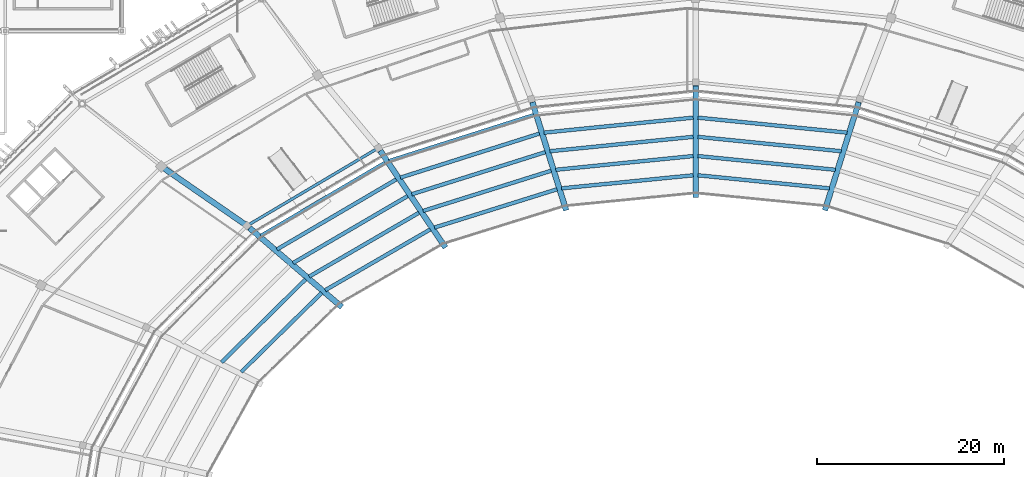
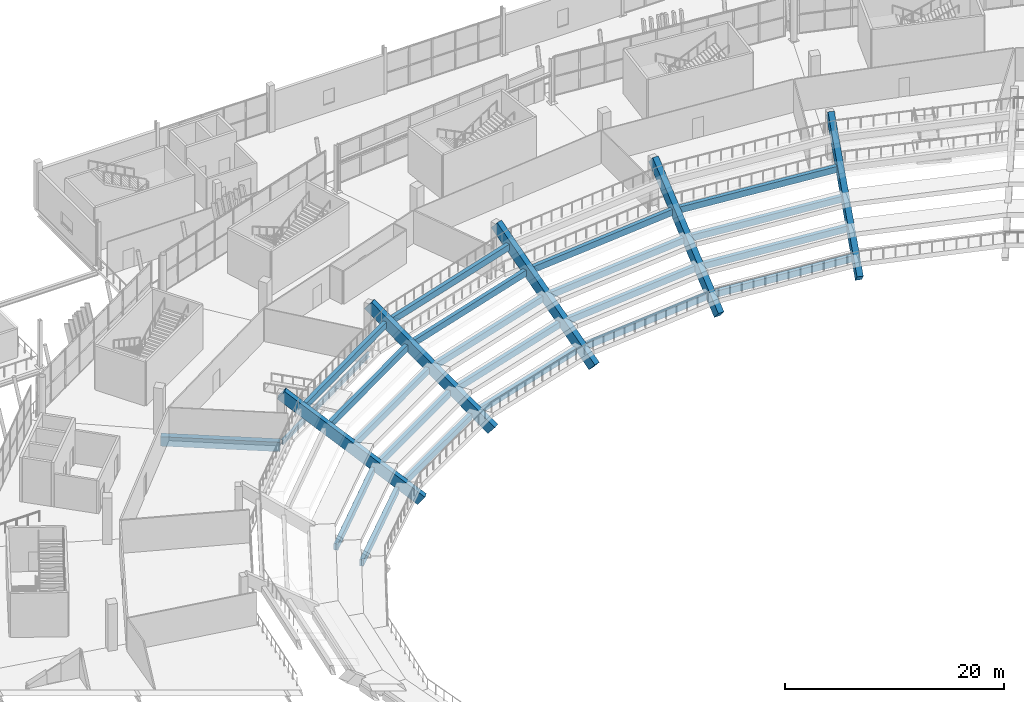
# One storey, part 48 of 178: 27 beams.
"""IFC4 building model written with IfcOpenShell, lengths in metres."""

from ifc_helpers import new_model, si_unit, direction, frame, origin, origin_2d, place, context, subcontext, project, spatial, rectangle, i_section, extrude, material, material_profile, profile_set, type_object, element, save


model = new_model("IFC4")

# Units and contexts
model_context = context("Model", 3, precision=1e-05, world=origin(), true_north=direction((0.0, 1.0)))
body_context = subcontext(model_context, "Body", "Model", "MODEL_VIEW")
ifc_project = project(units=[si_unit("LENGTHUNIT", "METRE"), si_unit("AREAUNIT", "SQUARE_METRE"), si_unit("VOLUMEUNIT", "CUBIC_METRE"), si_unit("PLANEANGLEUNIT", "RADIAN"), si_unit("MASSUNIT", "GRAM", prefix="KILO")], contexts=[model_context])

# Site, building, storey
site_placement = place(None, origin())
site = spatial("IfcSite", under=ifc_project, at=site_placement, CompositionType="ELEMENT")
building_placement = place(site_placement, origin())
building = spatial("IfcBuilding", under=site, at=building_placement, Name="Zlatoyarsky Gate Stadium", CompositionType="ELEMENT")
storey_placement = place(building_placement, frame((0.0, 0.0, 5.39990234375)))
storey = spatial("IfcBuildingStorey", under=building, at=storey_placement, Name="L01", CompositionType="ELEMENT", Elevation=5.39990234375)

# Beams
ifc_material_1 = material(Name="Concrete C40/50", Category="concrete")
ifc_material_profile_1 = material_profile(ifc_material_1, rectangle(XDim=0.39990234375, YDim=0.699951171875, at=origin_2d()), Name="RC BEAM 400X700")
ifc_profile_set_1 = profile_set([ifc_material_profile_1], Name="Concrete C40/50")
beam_type_1 = type_object("IfcBeamType", Name="CONCRETE FLOOR BEAM 400X700", PredefinedType="BEAM", material=ifc_profile_set_1)
beam_1_placement = place(storey_placement, frame((125.35888671875, 121.134521484375, -4.219970703125), z_axis=(-0.995107685463, 0.098796226303, 0.0), x_axis=(-0.098796226303, -0.995107685463, 0.0)))
element("IfcBeam", 1, at=beam_1_placement, inside=storey, type_object=beam_type_1, Name="Lower bowl step tie beam 05.1", PredefinedType="BEAM", context=body_context, shape_type="SweptSolid", body=[
    extrude(rectangle(XDim=0.39990234375, YDim=0.699951171875, at=origin_2d()), origin(), (0.0, 0.0, 1.0), 14.179443359375),
])
beam_2_placement = place(storey_placement, frame((125.990478515625, 123.12451171875, -2.31982421875), z_axis=(-0.995060332321, 0.09927202547, 0.0), x_axis=(-0.09927202547, -0.995060332321, 0.0)))
element("IfcBeam", 2, at=beam_2_placement, inside=storey, type_object=beam_type_1, Name="Lower bowl step tie beam 05.2", PredefinedType="BEAM", context=body_context, shape_type="SweptSolid", body=[
    extrude(rectangle(XDim=0.39990234375, YDim=0.699951171875, at=origin_2d()), origin(), (0.0, 0.0, 1.0), 14.81494140625),
])
beam_3_placement = place(storey_placement, frame((126.6220703125, 125.1142578125, -0.419921875), z_axis=(-0.995015106005, 0.099724314091, 0.0), x_axis=(-0.099724314091, -0.995015106005, 0.0)))
element("IfcBeam", 3, at=beam_3_placement, inside=storey, type_object=beam_type_1, Name="Lower bowl step tie beam 05.3", PredefinedType="BEAM", context=body_context, shape_type="SweptSolid", body=[
    extrude(rectangle(XDim=0.39990234375, YDim=0.699951171875, at=origin_2d()), origin(), (0.0, 0.0, 1.0), 15.4501953125),
])
beam_4_placement = place(storey_placement, frame((127.253662109375, 127.104248046875, 1.47998046875), z_axis=(-0.994973270957, 0.100140851208, 0.0), x_axis=(-0.100140851208, -0.994973270957, 0.0)))
element("IfcBeam", 4, at=beam_4_placement, inside=storey, type_object=beam_type_1, Name="Lower bowl step tie beam 05.4", PredefinedType="BEAM", context=body_context, shape_type="SweptSolid", body=[
    extrude(rectangle(XDim=0.39990234375, YDim=0.699951171875, at=origin_2d()), origin(), (0.0, 0.0, 1.0), 16.085693359375),
])
beam_5_placement = place(storey_placement, frame((110.751220703125, 122.535400390625, -4.219970703125), z_axis=(-0.995107685463, -0.098796226303, 0.0), x_axis=(0.098796226303, -0.995107685463, 0.0)))
element("IfcBeam", 5, at=beam_5_placement, inside=storey, type_object=beam_type_1, Name="Lower bowl step tie beam 06.1", PredefinedType="BEAM", context=body_context, shape_type="SweptSolid", body=[
    extrude(rectangle(XDim=0.39990234375, YDim=0.699951171875, at=origin_2d()), origin(), (0.0, 0.0, 1.0), 14.179443359375),
])
beam_6_placement = place(storey_placement, frame((110.751220703125, 124.59521484375, -2.31982421875), z_axis=(-0.995060332321, -0.09927202547, 0.0), x_axis=(0.09927202547, -0.995060332321, 0.0)))
element("IfcBeam", 6, at=beam_6_placement, inside=storey, type_object=beam_type_1, Name="Lower bowl step tie beam 06.2", PredefinedType="BEAM", context=body_context, shape_type="SweptSolid", body=[
    extrude(rectangle(XDim=0.39990234375, YDim=0.699951171875, at=origin_2d()), origin(), (0.0, 0.0, 1.0), 14.81494140625),
])
beam_7_placement = place(storey_placement, frame((110.751220703125, 126.655029296875, -0.419921875), z_axis=(-0.995015106005, -0.099724314091, 0.0), x_axis=(0.099724314091, -0.995015106005, 0.0)))
element("IfcBeam", 7, at=beam_7_placement, inside=storey, type_object=beam_type_1, Name="Lower bowl step tie beam 06.3", PredefinedType="BEAM", context=body_context, shape_type="SweptSolid", body=[
    extrude(rectangle(XDim=0.39990234375, YDim=0.699951171875, at=origin_2d()), origin(), (0.0, 0.0, 1.0), 15.4501953125),
])
beam_8_placement = place(storey_placement, frame((110.751220703125, 128.715087890625, 1.47998046875), z_axis=(-0.994973270957, -0.100140851208, 0.0), x_axis=(0.100140851208, -0.994973270957, 0.0)))
element("IfcBeam", 8, at=beam_8_placement, inside=storey, type_object=beam_type_1, Name="Lower bowl step tie beam 06.4", PredefinedType="BEAM", context=body_context, shape_type="SweptSolid", body=[
    extrude(rectangle(XDim=0.39990234375, YDim=0.699951171875, at=origin_2d()), origin(), (0.0, 0.0, 1.0), 16.085693359375),
])
beam_9_placement = place(storey_placement, frame((96.15380859375, 121.035400390625, -4.219970703125), z_axis=(-0.954521007749, -0.298143666318, 0.0), x_axis=(0.298143666318, -0.954521007749, 0.0)))
element("IfcBeam", 9, at=beam_9_placement, inside=storey, type_object=beam_type_1, Name="Lower bowl step tie beam 07.1", PredefinedType="BEAM", context=body_context, shape_type="SweptSolid", body=[
    extrude(rectangle(XDim=0.39990234375, YDim=0.699951171875, at=origin_2d()), origin(), (0.0, 0.0, 1.0), 13.760986328125),
])
beam_10_placement = place(storey_placement, frame((95.522216796875, 123.024658203125, -2.31982421875), z_axis=(-0.954103512777, -0.299477022334, 0.0), x_axis=(0.299477022334, -0.954103512777, 0.0)))
element("IfcBeam", 10, at=beam_10_placement, inside=storey, type_object=beam_type_1, Name="Lower bowl step tie beam 07.2", PredefinedType="BEAM", context=body_context, shape_type="SweptSolid", body=[
    extrude(rectangle(XDim=0.39990234375, YDim=0.699951171875, at=origin_2d()), origin(), (0.0, 0.0, 1.0), 14.3837890625),
])
beam_11_placement = place(storey_placement, frame((94.890869140625, 125.01416015625, -0.419921875), z_axis=(-0.953712640606, -0.300719469187, 0.0), x_axis=(0.300719469187, -0.953712640606, 0.0)))
element("IfcBeam", 11, at=beam_11_placement, inside=storey, type_object=beam_type_1, Name="Lower bowl step tie beam 07.3", PredefinedType="BEAM", context=body_context, shape_type="SweptSolid", body=[
    extrude(rectangle(XDim=0.39990234375, YDim=0.699951171875, at=origin_2d()), origin(), (0.0, 0.0, 1.0), 15.007080078125),
])
beam_12_placement = place(storey_placement, frame((94.259521484375, 127.003662109375, 1.47998046875), z_axis=(-0.953354587106, -0.301852664796, 0.0), x_axis=(0.301852664796, -0.953354587106, 0.0)))
element("IfcBeam", 12, at=beam_12_placement, inside=storey, type_object=beam_type_1, Name="Lower bowl step tie beam 07.4", PredefinedType="BEAM", context=body_context, shape_type="SweptSolid", body=[
    extrude(rectangle(XDim=0.39990234375, YDim=0.699951171875, at=origin_2d()), origin(), (0.0, 0.0, 1.0), 15.630126953125),
])
beam_13_placement = place(storey_placement, frame((93.6279296875, 128.993408203125, 3.380126953125), z_axis=(-0.953014117484, -0.30292588512, 0.0), x_axis=(0.30292588512, -0.953014117484, 0.0)))
element("IfcBeam", 13, at=beam_13_placement, inside=storey, type_object=beam_type_1, Name="Lower bowl step tie beam 07.5", PredefinedType="BEAM", context=body_context, shape_type="SweptSolid", body=[
    extrude(rectangle(XDim=0.39990234375, YDim=0.699951171875, at=origin_2d()), origin(), (0.0, 0.0, 1.0), 16.25341796875),
])
beam_14_placement = place(storey_placement, frame((82.563720703125, 116.73291015625, -4.219970703125), z_axis=(-0.865547933929, -0.500826091644, 0.0), x_axis=(0.500826091644, -0.865547933929, 0.0)))
element("IfcBeam", 14, at=beam_14_placement, inside=storey, type_object=beam_type_1, Name="Lower bowl step tie beam 08.1", PredefinedType="BEAM", context=body_context, shape_type="SweptSolid", body=[
    extrude(rectangle(XDim=0.39990234375, YDim=0.699951171875, at=origin_2d()), origin(), (0.0, 0.0, 1.0), 13.0048828125),
])
beam_15_placement = place(storey_placement, frame((81.343994140625, 118.516357421875, -2.31982421875), z_axis=(-0.864471827415, -0.502681270394, 0.0), x_axis=(0.502681270394, -0.864471827415, 0.0)))
element("IfcBeam", 15, at=beam_15_placement, inside=storey, type_object=beam_type_1, Name="Lower bowl step tie beam 08.2", PredefinedType="BEAM", context=body_context, shape_type="SweptSolid", body=[
    extrude(rectangle(XDim=0.39990234375, YDim=0.699951171875, at=origin_2d()), origin(), (0.0, 0.0, 1.0), 13.606201171875),
])
beam_16_placement = place(storey_placement, frame((80.1240234375, 120.300048828125, -0.419921875), z_axis=(-0.863471478742, -0.504397665934, 0.0), x_axis=(0.504397665934, -0.863471478742, 0.0)))
element("IfcBeam", 16, at=beam_16_placement, inside=storey, type_object=beam_type_1, Name="Lower bowl step tie beam 08.3", PredefinedType="BEAM", context=body_context, shape_type="SweptSolid", body=[
    extrude(rectangle(XDim=0.39990234375, YDim=0.699951171875, at=origin_2d()), origin(), (0.0, 0.0, 1.0), 14.20751953125),
])
beam_17_placement = place(storey_placement, frame((78.904296875, 122.08349609375, 1.47998046875), z_axis=(-0.862560784117, -0.505953450136, 0.0), x_axis=(0.505953450136, -0.862560784117, 0.0)))
element("IfcBeam", 17, at=beam_17_placement, inside=storey, type_object=beam_type_1, Name="Lower bowl step tie beam 08.4", PredefinedType="BEAM", context=body_context, shape_type="SweptSolid", body=[
    extrude(rectangle(XDim=0.39990234375, YDim=0.699951171875, at=origin_2d()), origin(), (0.0, 0.0, 1.0), 14.80908203125),
])
beam_18_placement = place(storey_placement, frame((77.6845703125, 123.8671875, 3.380126953125), z_axis=(-0.861715848075, -0.507391167815, 0.0), x_axis=(0.507391167815, -0.861715848075, 0.0)))
element("IfcBeam", 18, at=beam_18_placement, inside=storey, type_object=beam_type_1, Name="Lower bowl step tie beam 08.5", PredefinedType="BEAM", context=body_context, shape_type="SweptSolid", body=[
    extrude(rectangle(XDim=0.39990234375, YDim=0.699951171875, at=origin_2d()), origin(), (0.0, 0.0, 1.0), 15.410888671875),
])
beam_19_placement = place(storey_placement, frame((70.91259765625, 109.919189453125, -4.219970703125), z_axis=(-0.713236238692, -0.700923724678, 0.0), x_axis=(0.700923724678, -0.713236238692, 0.0)))
element("IfcBeam", 19, at=beam_19_placement, inside=storey, type_object=beam_type_1, Name="Lower bowl step tie beam 09.1", PredefinedType="BEAM", context=body_context, shape_type="SweptSolid", body=[
    extrude(rectangle(XDim=0.39990234375, YDim=0.699951171875, at=origin_2d()), origin(), (0.0, 0.0, 1.0), 12.07568359375),
])
beam_20_placement = place(storey_placement, frame((69.187744140625, 111.37548828125, -2.31982421875), z_axis=(-0.711502534013, -0.70268353054, 0.0), x_axis=(0.70268353054, -0.711502534013, 0.0)))
element("IfcBeam", 20, at=beam_20_placement, inside=storey, type_object=beam_type_1, Name="Lower bowl step tie beam 09.2", PredefinedType="BEAM", context=body_context, shape_type="SweptSolid", body=[
    extrude(rectangle(XDim=0.39990234375, YDim=0.699951171875, at=origin_2d()), origin(), (0.0, 0.0, 1.0), 12.6513671875),
])
ifc_material_profile_2 = material_profile(ifc_material_1, rectangle(XDim=0.60009765625, YDim=1.050048828125, at=origin_2d()), Name="RC GIRDER 600X1050")
ifc_profile_set_2 = profile_set([ifc_material_profile_2], Name="Concrete C40/50")
beam_type_2 = type_object("IfcBeamType", Name="CONCRETE PRIMARY GIRDER 600X1050", PredefinedType="T_BEAM", material=ifc_profile_set_2)
beam_21_placement = place(storey_placement, frame((62.818115234375, 117.19140625, -0.824951171875), z_axis=(-0.822196208432, 0.569204176758, 0.0), x_axis=(-0.569204176758, -0.822196208432, 0.0)))
element("IfcBeam", 21, at=beam_21_placement, inside=storey, type_object=beam_type_2, Name="Beam G-RC105 BM-L01-RAB-09", PredefinedType="T_BEAM", context=body_context, shape_type="SweptSolid", body=[
    extrude(rectangle(XDim=0.60009765625, YDim=1.050048828125, at=origin_2d()), origin(), (0.0, 0.0, 1.0), 10.9404296875),
])
ifc_material_2 = material(Name="Precast concrete C40/50", Category="concrete")
ifc_material_profile_3 = material_profile(ifc_material_2, rectangle(XDim=0.60009765625, YDim=1.14990234375, at=origin_2d()), Name="PC RAKER 600X1150")
ifc_profile_set_3 = profile_set([ifc_material_profile_3], Name="Precast concrete C40/50")
beam_type_3 = type_object("IfcBeamType", Name="PRECAST LOWER BOWL RAKER 600X1150", PredefinedType="USERDEFINED", material=ifc_profile_set_3)
beam_22_placement = place(storey_placement, frame((124.976318359375, 119.1201171875, -5.14990234375), z_axis=(0.229389770586, 0.733827783715, 0.639434998258), x_axis=(-0.954454576896, 0.298356264627, 0.0)))
element("IfcBeam", 22, at=beam_22_placement, inside=storey, type_object=beam_type_3, Name="Lower bowl radial raker 05", ObjectType="RAKER", PredefinedType="USERDEFINED", context=body_context, shape_type="SweptSolid", body=[
    extrude(rectangle(XDim=0.60009765625, YDim=1.14990234375, at=origin_2d()), origin(), (0.0, 0.0, 1.0), 15.79541015625),
])
beam_23_placement = place(storey_placement, frame((111.0, 120.5, -5.14990234375), z_axis=(0.0, 0.76507343808, 0.643943036568), x_axis=(-1.0, 0.0, 0.0)))
element("IfcBeam", 23, at=beam_23_placement, inside=storey, type_object=beam_type_3, Name="Lower bowl radial raker 06", ObjectType="RAKER", PredefinedType="USERDEFINED", context=body_context, shape_type="SweptSolid", body=[
    extrude(rectangle(XDim=0.60009765625, YDim=1.14990234375, at=origin_2d()), origin(), (0.0, 0.0, 1.0), 15.684814453125),
])
beam_24_placement = place(storey_placement, frame((97.023681640625, 119.1201171875, -5.14990234375), z_axis=(-0.229389770586, 0.733827783715, 0.639434998258), x_axis=(-0.954454576896, -0.298356264627, 0.0)))
element("IfcBeam", 24, at=beam_24_placement, inside=storey, type_object=beam_type_3, Name="Lower bowl radial raker 07", ObjectType="RAKER", PredefinedType="USERDEFINED", context=body_context, shape_type="SweptSolid", body=[
    extrude(rectangle(XDim=0.60009765625, YDim=1.14990234375, at=origin_2d()), origin(), (0.0, 0.0, 1.0), 15.79541015625),
])
beam_25_placement = place(storey_placement, frame((84.0, 115.073974609375, -5.14990234375), z_axis=(-0.43494827472, 0.645732533831, 0.62757429287), x_axis=(-0.829396945455, -0.558659741586, 0.0)))
element("IfcBeam", 25, at=beam_25_placement, inside=storey, type_object=beam_type_3, Name="Lower bowl radial raker 08", ObjectType="RAKER", PredefinedType="USERDEFINED", context=body_context, shape_type="SweptSolid", body=[
    extrude(rectangle(XDim=0.60009765625, YDim=1.14990234375, at=origin_2d()), origin(), (0.0, 0.0, 1.0), 16.09375),
])
beam_26_placement = place(storey_placement, frame((72.816162109375, 108.6376953125, -5.14990234375), z_axis=(-0.600227386736, 0.514489075994, 0.612395358323), x_axis=(-0.650797541589, -0.759251315351, 0.0)))
element("IfcBeam", 26, at=beam_26_placement, inside=storey, type_object=beam_type_3, Name="Lower bowl radial raker 09", ObjectType="RAKER", PredefinedType="USERDEFINED", context=body_context, shape_type="SweptSolid", body=[
    extrude(rectangle(XDim=0.60009765625, YDim=1.14990234375, at=origin_2d()), origin(), (0.0, 0.0, 1.0), 16.49267578125),
])
ifc_material_3 = material(Name="Steel S355", Category="steel")
ifc_material_profile_4 = material_profile(ifc_material_3, i_section(OverallWidth=0.300048828125, OverallDepth=0.5, WebThickness=0.014404296875, FlangeThickness=0.028076171875, FilletRadius=0.027099609375, at=origin_2d()), Name="HEB 500")
ifc_profile_set_4 = profile_set([ifc_material_profile_4], Name="Steel S355")
beam_type_4 = type_object("IfcBeamType", Name="STEEL PRIMARY GIRDER HEB 500", PredefinedType="BEAM", material=ifc_profile_set_4)
beam_27_placement = place(storey_placement, frame((76.896728515625, 125.405029296875, -0.5498046875), z_axis=(-0.860360371321, -0.50968620882, 0.0), x_axis=(0.50968620882, -0.860360371321, 0.0)))
element("IfcBeam", 27, at=beam_27_placement, inside=storey, type_object=beam_type_4, Name="Beam G-HEB500 BM-L01-CRA-08", PredefinedType="BEAM", context=body_context, shape_type="SweptSolid", body=[
    extrude(i_section(OverallWidth=0.300048828125, OverallDepth=0.5, WebThickness=0.014404296875, FlangeThickness=0.028076171875, FilletRadius=0.027099609375, at=origin_2d()), origin(), (0.0, 0.0, 1.0), 16.12890625),
])

save(model, "model.ifc")
